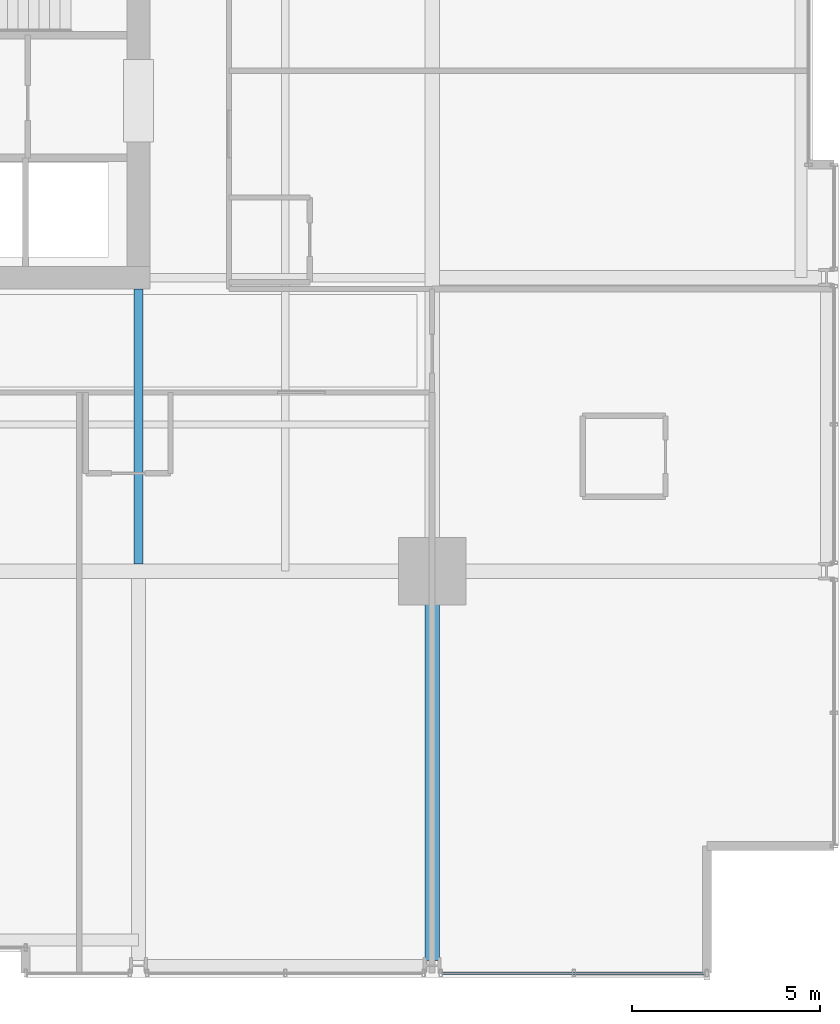
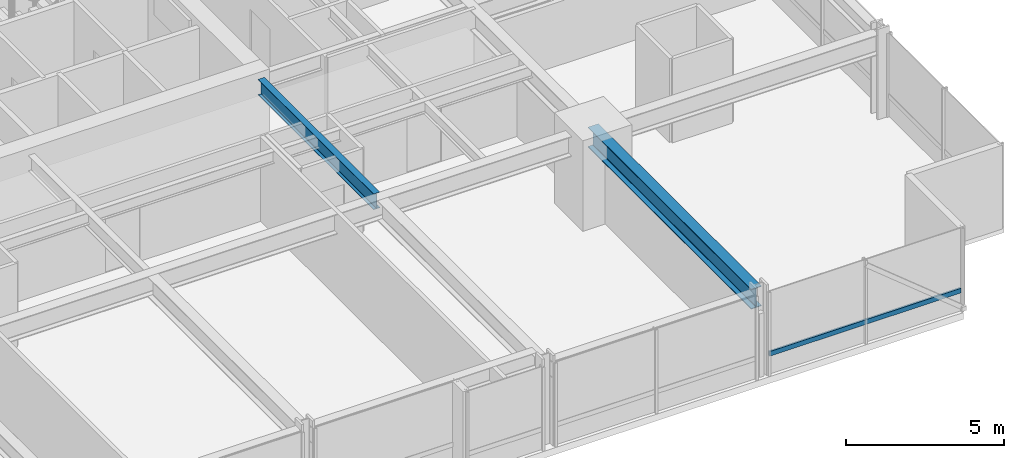
# One storey, part 12 of 38: 2 beams, 1 member, 1 element without a shape of its own.
"""IFC4 building model written with IfcOpenShell, lengths in metres."""

import ifcopenshell
import ifcopenshell.guid

model = None  # the IFC model being written
_history = None  # IfcOwnerHistory: only IFC2X3 demands one
_inside = {}  # id of a spatial element -> (the spatial element, [elements in it])
_under = {}  # id of a project, library or spatial element -> (it, [spatial elements below it])
_declared = {}  # id of a project -> (the project, [libraries it declares])
_typed = {}  # id of a type object -> (the type object, [elements of that type])
_made_of = {}  # id of a material, layer set ... -> (it, [elements and type objects made of it])


def new_model(schema):
    """Start an empty IFC model of exactly this schema.

    Asked for "IFC4X3", IfcOpenShell would pick the latest addendum, in which some entities
    have other attributes; the version numbers below select the first issue.
    IFC2X3 requires an IfcOwnerHistory on every rooted entity: one is made here for all.
    """
    global model, _history
    if schema == "IFC4X3":
        model = ifcopenshell.file(schema_version=(4, 3, 0, 0))
    else:
        model = ifcopenshell.file(schema=schema)
    _inside.clear()
    _under.clear()
    _declared.clear()
    _typed.clear()
    _made_of.clear()
    _history = None
    if model.schema == "IFC2X3":
        org = make("IfcOrganization", Name="unknown")
        user = make(
            "IfcPersonAndOrganization",
            ThePerson=make("IfcPerson", FamilyName="unknown"),
            TheOrganization=org,
        )
        app = make(
            "IfcApplication",
            ApplicationDeveloper=org,
            Version="unknown",
            ApplicationFullName="unknown",
            ApplicationIdentifier="unknown",
        )
        _history = make(
            "IfcOwnerHistory",
            OwningUser=user,
            OwningApplication=app,
            ChangeAction="ADDED",
            CreationDate=0,
        )
    return model


def make(cls, **values):
    """One entity of the class cls with the attributes given. An attribute that is None is left unset."""
    return model.create_entity(
        cls, **{name: value for name, value in values.items() if value is not None}
    )


def rooted(cls, **values):
    """An entity with a GlobalId (a new one), such as an element, a storey or a relation."""
    return make(cls, GlobalId=ifcopenshell.guid.new(), OwnerHistory=_history, **values)


def si_unit(unit_type, name, prefix=None):
    """IfcSIUnit, for example si_unit("LENGTHUNIT", "METRE", prefix="MILLI")."""
    return make("IfcSIUnit", UnitType=unit_type, Prefix=prefix, Name=name)


def assignment(units):
    """IfcUnitAssignment: the units of a project."""
    return None if units is None else make("IfcUnitAssignment", Units=units)


def point(xyz):
    """IfcCartesianPoint."""
    return None if xyz is None else make("IfcCartesianPoint", Coordinates=xyz)


def direction(xyz):
    """IfcDirection."""
    return None if xyz is None else make("IfcDirection", DirectionRatios=xyz)


def frame(location, z_axis=None, x_axis=None):
    """IfcAxis2Placement3D, a coordinate frame: its origin and axes. An axis left out is left unset."""
    return make(
        "IfcAxis2Placement3D",
        Location=point(location),
        Axis=direction(z_axis),
        RefDirection=direction(x_axis),
    )


def frame_2d(location, x_axis=None):
    """IfcAxis2Placement2D, a coordinate frame in the plane: its origin and x axis."""
    return make(
        "IfcAxis2Placement2D", Location=point(location), RefDirection=direction(x_axis)
    )


def origin():
    """The frame at (0, 0, 0) with its axes left unset."""
    return frame((0.0, 0.0, 0.0))


def origin_2d():
    """The frame at (0, 0) in the plane with its x axis left unset."""
    return frame_2d((0.0, 0.0))


def place(relative_to, where):
    """IfcLocalPlacement: puts the frame where relative to a parent placement (None: the world)."""
    return make(
        "IfcLocalPlacement", PlacementRelTo=relative_to, RelativePlacement=where
    )


def context(
    kind, dimensions, precision=None, world=None, true_north=None, identifier=None
):
    """IfcGeometricRepresentationContext, for example the 3D "Model" context."""
    return make(
        "IfcGeometricRepresentationContext",
        ContextIdentifier=identifier,
        ContextType=kind,
        CoordinateSpaceDimension=dimensions,
        Precision=precision,
        WorldCoordinateSystem=world,
        TrueNorth=true_north,
    )


def subcontext(parent, identifier, kind, view, scale=None):
    """IfcGeometricRepresentationSubContext, for example "Body" below "Model"."""
    return make(
        "IfcGeometricRepresentationSubContext",
        ContextIdentifier=identifier,
        ContextType=kind,
        ParentContext=parent,
        TargetScale=scale,
        TargetView=view,
    )


def project(units=None, contexts=None):
    """IfcProject with its units and contexts."""
    return rooted(
        "IfcProject",
        Name="project",
        RepresentationContexts=contexts,
        UnitsInContext=assignment(units),
    )


def spatial(cls, under=None, at=None, **own):
    """A site, building, storey or space (cls), placed at a placement, below another one or the project."""
    s = rooted(cls, ObjectPlacement=at, **own)
    if under is not None:
        _under.setdefault(under.id(), (under, []))[1].append(s)
    return s


def profile(cls, at=None, kind="AREA", **sizes):
    """A parametric profile (cls). Its sizes go by their IFC names, for example OverallWidth=200.0."""
    return make(cls, ProfileType=kind, Position=at, **sizes)


def hollow_rectangle(**sizes):
    """IfcRectangleHollowProfileDef."""
    return profile("IfcRectangleHollowProfileDef", **sizes)


def i_section(**sizes):
    """IfcIShapeProfileDef."""
    return profile("IfcIShapeProfileDef", **sizes)


def extrude(swept, where, along, depth):
    """IfcExtrudedAreaSolid: the profile swept, set in the frame where, extruded along a direction by depth."""
    return make(
        "IfcExtrudedAreaSolid",
        SweptArea=swept,
        Position=where,
        ExtrudedDirection=direction(along),
        Depth=depth,
    )


def shape(context_of_items, identifier, shape_type, items):
    """IfcShapeRepresentation: the items that make up one representation, for example the "Body"."""
    return make(
        "IfcShapeRepresentation",
        ContextOfItems=context_of_items,
        RepresentationIdentifier=identifier,
        RepresentationType=shape_type,
        Items=items,
    )


def material(Name=None, Category=None):
    """IfcMaterial."""
    return make("IfcMaterial", Name=Name, Category=Category)


def layer(
    of_material, thickness, ventilated=None, Name=None, Category=None, Priority=None
):
    """IfcMaterialLayer: one layer of a wall or slab, of a material (None: an air gap)."""
    return make(
        "IfcMaterialLayer",
        Material=of_material,
        LayerThickness=thickness,
        IsVentilated=ventilated,
        Name=Name,
        Category=Category,
        Priority=Priority,
    )


def layer_set(layers, Name=None):
    """IfcMaterialLayerSet."""
    return make("IfcMaterialLayerSet", MaterialLayers=layers, LayerSetName=Name)


def material_profile(
    of_material, cross_section, Name=None, Category=None, Priority=None
):
    """IfcMaterialProfile: a cross section and its material."""
    return make(
        "IfcMaterialProfile",
        Name=Name,
        Material=of_material,
        Profile=cross_section,
        Priority=Priority,
        Category=Category,
    )


def profile_set(profiles, Name=None, composite=None):
    """IfcMaterialProfileSet."""
    return make(
        "IfcMaterialProfileSet",
        Name=Name,
        MaterialProfiles=profiles,
        CompositeProfile=composite,
    )


def made_of(thing, what):
    """Note that an element or type object is made of a material, layer set ...; save() writes the relation."""
    if what is not None:
        _made_of.setdefault(what.id(), (what, []))[1].append(thing)
    return thing


def type_object(cls, material=None, **own):
    """A type object (cls), such as IfcWallType, which elements share."""
    return made_of(rooted(cls, **own), material)


def element(
    cls,
    number,
    at=None,
    inside=None,
    cuts=None,
    type_object=None,
    material=None,
    context=None,
    identifier="Body",
    shape_type=None,
    held_by="IfcProductDefinitionShape",
    body=None,
    shapes=None,
    **own,
):
    """One element of the class cls, such as IfcWall. Its Tag is "e" and its number.

    at: its placement. inside: the storey or other place that contains it. cuts: it is an
    opening in that element (IfcRelVoidsElement). A single representation is given by context,
    identifier, shape_type and body (its items); several are given by shapes. held_by: the class
    of the entity that holds the representations. save() writes the other relations.
    """
    e = rooted(cls, Tag="e%d" % number, ObjectPlacement=at, **own)
    if body is not None:
        shapes = [shape(context, identifier, shape_type, body)]
    if shapes is not None:
        e.Representation = make(held_by, Representations=shapes)
    if inside is not None:
        _inside.setdefault(inside.id(), (inside, []))[1].append(e)
    if cuts is not None:
        rooted(
            "IfcRelVoidsElement", RelatingBuildingElement=cuts, RelatedOpeningElement=e
        )
    if type_object is not None:
        _typed.setdefault(type_object.id(), (type_object, []))[1].append(e)
    return made_of(e, material)


def aggregate(whole, parts):
    """IfcRelAggregates: a whole, such as a stair, and the parts it consists of."""
    return rooted("IfcRelAggregates", RelatingObject=whole, RelatedObjects=parts)


def save(model, path):
    """Write the relations noted so far, then the file.

    IfcRelAggregates (storeys below a building ...), IfcRelContainedInSpatialStructure (elements
    in a storey), IfcRelDefinesByType, IfcRelAssociatesMaterial and IfcRelDeclares: one each for
    every whole, place, type object, material and project.
    """
    for whole, parts in _under.values():
        aggregate(whole, parts)
    for where, things in _inside.values():
        rooted(
            "IfcRelContainedInSpatialStructure",
            RelatedElements=things,
            RelatingStructure=where,
        )
    for kind, things in _typed.values():
        rooted("IfcRelDefinesByType", RelatedObjects=things, RelatingType=kind)
    for what, things in _made_of.values():
        rooted("IfcRelAssociatesMaterial", RelatedObjects=things, RelatingMaterial=what)
    for by, libraries in _declared.values():
        rooted("IfcRelDeclares", RelatingContext=by, RelatedDefinitions=libraries)
    model.write(path)


model = new_model("IFC4")

# Units and contexts
model_context = context("Model", 3, precision=1e-05, world=origin(), true_north=direction((0.0, 1.0)))
body_context = subcontext(model_context, "Body", "Model", "MODEL_VIEW")
ifc_project = project(units=[si_unit("LENGTHUNIT", "METRE"), si_unit("AREAUNIT", "SQUARE_METRE"), si_unit("VOLUMEUNIT", "CUBIC_METRE"), si_unit("PLANEANGLEUNIT", "RADIAN"), si_unit("MASSUNIT", "GRAM", prefix="KILO")], contexts=[model_context])

# Site, building, storey
site_placement = place(None, origin())
site = spatial("IfcSite", under=ifc_project, at=site_placement, CompositionType="ELEMENT")
building_placement = place(site_placement, origin())
building = spatial("IfcBuilding", under=site, at=building_placement, Name="Drelvath Grand Hotel", CompositionType="ELEMENT")
storey_placement = place(building_placement, frame((0.0, 0.0, 68.199951171875)))
storey = spatial("IfcBuildingStorey", under=building, at=storey_placement, Name="L16", CompositionType="ELEMENT", Elevation=68.199951171875)

# Curtain wall, member
ifc_material_1 = material(Name="Warm Bronze Anodised Aluminium Frame", Category="aluminium")
ifc_layer = layer(ifc_material_1, 0.199951171875)
ifc_layer_set = layer_set([ifc_layer], Name="Warm Bronze Anodised Aluminium Frame")
curtain_wall_type = type_object("IfcCurtainWallType", Name="Stick Curtain Wall CW-02 Warm Bronze Low-Rise", PredefinedType="NOTDEFINED", material=ifc_layer_set)
curtain_wall_placement = place(storey_placement, origin())
curtain_wall = element("IfcCurtainWall", 1, at=curtain_wall_placement, inside=storey, type_object=curtain_wall_type, Name="L16 CW-02 Curtain Wall CW02-L16-SE3", PredefinedType="NOTDEFINED")
ifc_material_profile_1 = material_profile(ifc_material_1, hollow_rectangle(XDim=0.074951171875, YDim=0.179931640625, WallThickness=0.0048828125, at=origin_2d()), Name="HSS180X75X5")
ifc_profile_set_1 = profile_set([ifc_material_profile_1], Name="Warm Bronze Anodised Aluminium Frame")
member_type = type_object("IfcMemberType", Name="Curtain Wall Horizontal Transom CW-02 HSS180X75X5", PredefinedType="USERDEFINED", material=ifc_profile_set_1)
member_placement = place(storey_placement, frame((23.4599609375, 0.1201171875, 0.81005859375), z_axis=(-1.0, 0.0, 0.0), x_axis=(0.0, -1.0, 0.0)))
member = element("IfcMember", 2, at=member_placement, type_object=member_type, Name="CW02-L16-SE3 Sill Transom", ObjectType="TRANSOM", PredefinedType="USERDEFINED", context=body_context, shape_type="SweptSolid", body=[
    extrude(hollow_rectangle(XDim=0.074951171875, YDim=0.179931640625, WallThickness=0.0048828125, at=origin_2d()), origin(), (0.0, 0.0, 1.0), 6.990966796875),
])
aggregate(curtain_wall, [member])

# Beams
ifc_material_2 = material(Name="Steel ASTM A992 Gr 50", Category="steel")
ifc_material_profile_2 = material_profile(ifc_material_2, i_section(OverallWidth=0.228271484375, OverallDepth=0.607666015625, WebThickness=0.01123046875, FlangeThickness=0.017333984375, FilletRadius=0.02001953125, at=origin_2d()), Name="W24X76")
ifc_profile_set_2 = profile_set([ifc_material_profile_2], Name="Steel ASTM A992 Gr 50")
beam_type_1 = type_object("IfcBeamType", Name="Primary Floor Girder W24X76", PredefinedType="BEAM", material=ifc_profile_set_2)
beam_1_placement = place(storey_placement, frame((8.39990234375, 10.990234375, 2.936279296875), z_axis=(0.0, 1.0, 0.0), x_axis=(-1.0, 0.0, 0.0)))
element("IfcBeam", 3, at=beam_1_placement, inside=storey, type_object=beam_type_1, Name="L16 South Core Tie 6", PredefinedType="BEAM", context=body_context, shape_type="SweptSolid", body=[
    extrude(i_section(OverallWidth=0.228271484375, OverallDepth=0.607666015625, WebThickness=0.01123046875, FlangeThickness=0.017333984375, FilletRadius=0.02001953125, at=origin_2d()), origin(), (0.0, 0.0, 1.0), 7.309814453125),
])
ifc_material_profile_3 = material_profile(ifc_material_2, i_section(OverallWidth=0.380615234375, OverallDepth=0.773193359375, WebThickness=0.0166015625, FlangeThickness=0.027099609375, FilletRadius=0.02490234375, at=origin_2d()), Name="W30X173")
ifc_profile_set_3 = profile_set([ifc_material_profile_3], Name="Steel ASTM A992 Gr 50")
beam_type_2 = type_object("IfcBeamType", Name="Primary Floor Girder W30X173", PredefinedType="BEAM", material=ifc_profile_set_3)
beam_2_placement = place(storey_placement, frame((16.199951171875, 0.4599609375, 2.853515625), z_axis=(0.0, 1.0, 0.0), x_axis=(-1.0, 0.0, 0.0)))
element("IfcBeam", 4, at=beam_2_placement, inside=storey, type_object=beam_type_2, Name="L16 South Grid Girder 7", PredefinedType="BEAM", context=body_context, shape_type="SweptSolid", body=[
    extrude(i_section(OverallWidth=0.380615234375, OverallDepth=0.773193359375, WebThickness=0.0166015625, FlangeThickness=0.027099609375, FilletRadius=0.02490234375, at=origin_2d()), origin(), (0.0, 0.0, 1.0), 10.340087890625),
])

save(model, "model.ifc")
